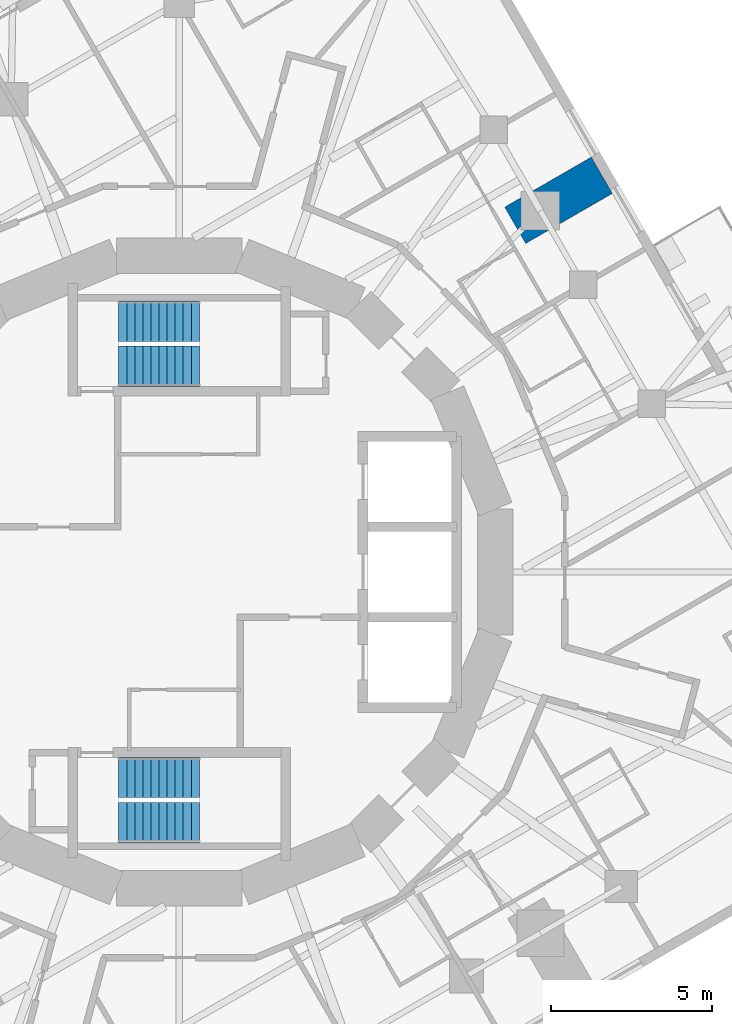
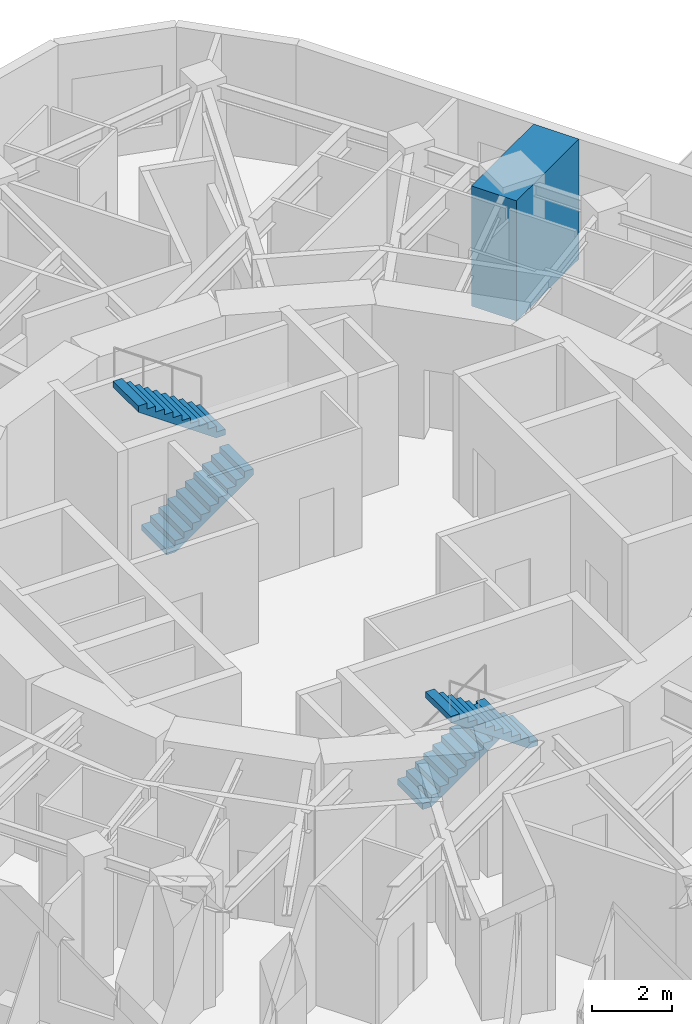
# One storey, part 10 of 12: 4 stair flights, 1 wall, 2 elements without a shape of their own.
"""IFC4 building model written with IfcOpenShell, lengths in metres."""

import ifcopenshell
import ifcopenshell.guid

model = None  # the IFC model being written
_history = None  # IfcOwnerHistory: only IFC2X3 demands one
_inside = {}  # id of a spatial element -> (the spatial element, [elements in it])
_under = {}  # id of a project, library or spatial element -> (it, [spatial elements below it])
_declared = {}  # id of a project -> (the project, [libraries it declares])
_typed = {}  # id of a type object -> (the type object, [elements of that type])
_made_of = {}  # id of a material, layer set ... -> (it, [elements and type objects made of it])


def new_model(schema):
    """Start an empty IFC model of exactly this schema.

    Asked for "IFC4X3", IfcOpenShell would pick the latest addendum, in which some entities
    have other attributes; the version numbers below select the first issue.
    IFC2X3 requires an IfcOwnerHistory on every rooted entity: one is made here for all.
    """
    global model, _history
    if schema == "IFC4X3":
        model = ifcopenshell.file(schema_version=(4, 3, 0, 0))
    else:
        model = ifcopenshell.file(schema=schema)
    _inside.clear()
    _under.clear()
    _declared.clear()
    _typed.clear()
    _made_of.clear()
    _history = None
    if model.schema == "IFC2X3":
        org = make("IfcOrganization", Name="unknown")
        user = make(
            "IfcPersonAndOrganization",
            ThePerson=make("IfcPerson", FamilyName="unknown"),
            TheOrganization=org,
        )
        app = make(
            "IfcApplication",
            ApplicationDeveloper=org,
            Version="unknown",
            ApplicationFullName="unknown",
            ApplicationIdentifier="unknown",
        )
        _history = make(
            "IfcOwnerHistory",
            OwningUser=user,
            OwningApplication=app,
            ChangeAction="ADDED",
            CreationDate=0,
        )
    return model


def make(cls, **values):
    """One entity of the class cls with the attributes given. An attribute that is None is left unset."""
    return model.create_entity(
        cls, **{name: value for name, value in values.items() if value is not None}
    )


def rooted(cls, **values):
    """An entity with a GlobalId (a new one), such as an element, a storey or a relation."""
    return make(cls, GlobalId=ifcopenshell.guid.new(), OwnerHistory=_history, **values)


def si_unit(unit_type, name, prefix=None):
    """IfcSIUnit, for example si_unit("LENGTHUNIT", "METRE", prefix="MILLI")."""
    return make("IfcSIUnit", UnitType=unit_type, Prefix=prefix, Name=name)


def assignment(units):
    """IfcUnitAssignment: the units of a project."""
    return None if units is None else make("IfcUnitAssignment", Units=units)


def point(xyz):
    """IfcCartesianPoint."""
    return None if xyz is None else make("IfcCartesianPoint", Coordinates=xyz)


def direction(xyz):
    """IfcDirection."""
    return None if xyz is None else make("IfcDirection", DirectionRatios=xyz)


def frame(location, z_axis=None, x_axis=None):
    """IfcAxis2Placement3D, a coordinate frame: its origin and axes. An axis left out is left unset."""
    return make(
        "IfcAxis2Placement3D",
        Location=point(location),
        Axis=direction(z_axis),
        RefDirection=direction(x_axis),
    )


def frame_2d(location, x_axis=None):
    """IfcAxis2Placement2D, a coordinate frame in the plane: its origin and x axis."""
    return make(
        "IfcAxis2Placement2D", Location=point(location), RefDirection=direction(x_axis)
    )


def origin():
    """The frame at (0, 0, 0) with its axes left unset."""
    return frame((0.0, 0.0, 0.0))


def place(relative_to, where):
    """IfcLocalPlacement: puts the frame where relative to a parent placement (None: the world)."""
    return make(
        "IfcLocalPlacement", PlacementRelTo=relative_to, RelativePlacement=where
    )


def context(
    kind, dimensions, precision=None, world=None, true_north=None, identifier=None
):
    """IfcGeometricRepresentationContext, for example the 3D "Model" context."""
    return make(
        "IfcGeometricRepresentationContext",
        ContextIdentifier=identifier,
        ContextType=kind,
        CoordinateSpaceDimension=dimensions,
        Precision=precision,
        WorldCoordinateSystem=world,
        TrueNorth=true_north,
    )


def subcontext(parent, identifier, kind, view, scale=None):
    """IfcGeometricRepresentationSubContext, for example "Body" below "Model"."""
    return make(
        "IfcGeometricRepresentationSubContext",
        ContextIdentifier=identifier,
        ContextType=kind,
        ParentContext=parent,
        TargetScale=scale,
        TargetView=view,
    )


def project(units=None, contexts=None):
    """IfcProject with its units and contexts."""
    return rooted(
        "IfcProject",
        Name="project",
        RepresentationContexts=contexts,
        UnitsInContext=assignment(units),
    )


def spatial(cls, under=None, at=None, **own):
    """A site, building, storey or space (cls), placed at a placement, below another one or the project."""
    s = rooted(cls, ObjectPlacement=at, **own)
    if under is not None:
        _under.setdefault(under.id(), (under, []))[1].append(s)
    return s


def polyline(points):
    """IfcPolyline through the points."""
    return make("IfcPolyline", Points=[point(p) for p in points])


def profile(cls, at=None, kind="AREA", **sizes):
    """A parametric profile (cls). Its sizes go by their IFC names, for example OverallWidth=200.0."""
    return make(cls, ProfileType=kind, Position=at, **sizes)


def rectangle(**sizes):
    """IfcRectangleProfileDef."""
    return profile("IfcRectangleProfileDef", **sizes)


def outline(outer, holes=None, kind="AREA"):
    """IfcArbitraryClosedProfileDef: a profile drawn as a closed curve; with holes, ...WithVoids."""
    if holes is None:
        return make("IfcArbitraryClosedProfileDef", ProfileType=kind, OuterCurve=outer)
    return make(
        "IfcArbitraryProfileDefWithVoids",
        ProfileType=kind,
        OuterCurve=outer,
        InnerCurves=holes,
    )


def extrude(swept, where, along, depth):
    """IfcExtrudedAreaSolid: the profile swept, set in the frame where, extruded along a direction by depth."""
    return make(
        "IfcExtrudedAreaSolid",
        SweptArea=swept,
        Position=where,
        ExtrudedDirection=direction(along),
        Depth=depth,
    )


def shape(context_of_items, identifier, shape_type, items):
    """IfcShapeRepresentation: the items that make up one representation, for example the "Body"."""
    return make(
        "IfcShapeRepresentation",
        ContextOfItems=context_of_items,
        RepresentationIdentifier=identifier,
        RepresentationType=shape_type,
        Items=items,
    )


def material(Name=None, Category=None):
    """IfcMaterial."""
    return make("IfcMaterial", Name=Name, Category=Category)


def layer(
    of_material, thickness, ventilated=None, Name=None, Category=None, Priority=None
):
    """IfcMaterialLayer: one layer of a wall or slab, of a material (None: an air gap)."""
    return make(
        "IfcMaterialLayer",
        Material=of_material,
        LayerThickness=thickness,
        IsVentilated=ventilated,
        Name=Name,
        Category=Category,
        Priority=Priority,
    )


def layer_set(layers, Name=None):
    """IfcMaterialLayerSet."""
    return make("IfcMaterialLayerSet", MaterialLayers=layers, LayerSetName=Name)


def made_of(thing, what):
    """Note that an element or type object is made of a material, layer set ...; save() writes the relation."""
    if what is not None:
        _made_of.setdefault(what.id(), (what, []))[1].append(thing)
    return thing


def type_object(cls, material=None, **own):
    """A type object (cls), such as IfcWallType, which elements share."""
    return made_of(rooted(cls, **own), material)


def element(
    cls,
    number,
    at=None,
    inside=None,
    cuts=None,
    type_object=None,
    material=None,
    context=None,
    identifier="Body",
    shape_type=None,
    held_by="IfcProductDefinitionShape",
    body=None,
    shapes=None,
    **own,
):
    """One element of the class cls, such as IfcWall. Its Tag is "e" and its number.

    at: its placement. inside: the storey or other place that contains it. cuts: it is an
    opening in that element (IfcRelVoidsElement). A single representation is given by context,
    identifier, shape_type and body (its items); several are given by shapes. held_by: the class
    of the entity that holds the representations. save() writes the other relations.
    """
    e = rooted(cls, Tag="e%d" % number, ObjectPlacement=at, **own)
    if body is not None:
        shapes = [shape(context, identifier, shape_type, body)]
    if shapes is not None:
        e.Representation = make(held_by, Representations=shapes)
    if inside is not None:
        _inside.setdefault(inside.id(), (inside, []))[1].append(e)
    if cuts is not None:
        rooted(
            "IfcRelVoidsElement", RelatingBuildingElement=cuts, RelatedOpeningElement=e
        )
    if type_object is not None:
        _typed.setdefault(type_object.id(), (type_object, []))[1].append(e)
    return made_of(e, material)


def aggregate(whole, parts):
    """IfcRelAggregates: a whole, such as a stair, and the parts it consists of."""
    return rooted("IfcRelAggregates", RelatingObject=whole, RelatedObjects=parts)


def save(model, path):
    """Write the relations noted so far, then the file.

    IfcRelAggregates (storeys below a building ...), IfcRelContainedInSpatialStructure (elements
    in a storey), IfcRelDefinesByType, IfcRelAssociatesMaterial and IfcRelDeclares: one each for
    every whole, place, type object, material and project.
    """
    for whole, parts in _under.values():
        aggregate(whole, parts)
    for where, things in _inside.values():
        rooted(
            "IfcRelContainedInSpatialStructure",
            RelatedElements=things,
            RelatingStructure=where,
        )
    for kind, things in _typed.values():
        rooted("IfcRelDefinesByType", RelatedObjects=things, RelatingType=kind)
    for what, things in _made_of.values():
        rooted("IfcRelAssociatesMaterial", RelatedObjects=things, RelatingMaterial=what)
    for by, libraries in _declared.values():
        rooted("IfcRelDeclares", RelatingContext=by, RelatedDefinitions=libraries)
    model.write(path)


model = new_model("IFC4")

# Units and contexts
model_context = context("Model", 3, precision=1e-05, world=origin(), true_north=direction((0.0, 1.0)))
body_context = subcontext(model_context, "Body", "Model", "MODEL_VIEW")
ifc_project = project(units=[si_unit("LENGTHUNIT", "METRE"), si_unit("AREAUNIT", "SQUARE_METRE"), si_unit("VOLUMEUNIT", "CUBIC_METRE"), si_unit("PLANEANGLEUNIT", "RADIAN"), si_unit("MASSUNIT", "GRAM", prefix="KILO")], contexts=[model_context])

# Site, building, storey
site_placement = place(None, origin())
site = spatial("IfcSite", under=ifc_project, at=site_placement, CompositionType="ELEMENT")
building_placement = place(site_placement, origin())
building = spatial("IfcBuilding", under=site, at=building_placement, Name="Nakasero Lantern House", CompositionType="ELEMENT")
storey_placement = place(building_placement, frame((0.0, 0.0, 226.949951171875)))
storey = spatial("IfcBuildingStorey", under=building, at=storey_placement, Name="L55", CompositionType="ELEMENT", Elevation=226.949951171875)

# Wall
ifc_material_1 = material(Name="Blockwork", Category="masonry")
ifc_layer = layer(ifc_material_1, 1.300048828125)
ifc_layer_set = layer_set([ifc_layer], Name="Column pier 1300")
wall_type = type_object("IfcWallType", Name="Column pier 1300", PredefinedType="PARTITIONING", material=ifc_layer_set)
wall_placement = place(storey_placement, frame((10.4208984375, 10.75048828125, 0.0), z_axis=(0.0, 0.0, 1.0), x_axis=(0.866063626216, 0.499933790963, 0.0)))
element("IfcWall", 1, at=wall_placement, inside=storey, type_object=wall_type, Name="Column pier L55 PN0-05", PredefinedType="PARTITIONING", context=body_context, shape_type="SweptSolid", body=[
    extrude(rectangle(XDim=3.10009765625, YDim=1.300048828125, at=frame_2d((1.550048828125, 0.0))), origin(), (0.0, 0.0, 1.0), 3.650146484375),
])

# Stair, stair flights
ifc_material_2 = material(Name="Concrete C40/50", Category="concrete")
stair_type_1 = type_object("IfcStairType", Name="Escape stair ST1 22 risers", PredefinedType="HALF_TURN_STAIR", material=ifc_material_2)
stair_1_placement = place(storey_placement, origin())
stair_1 = element("IfcStair", 2, at=stair_1_placement, inside=storey, type_object=stair_type_1, Name="Escape stair ST1 L55", PredefinedType="HALF_TURN_STAIR")
ifc_material_3 = material(Name="Concrete C40/50", Category="concrete")
stair_flight_type = type_object("IfcStairFlightType", Name="Escape stair flight", PredefinedType="STRAIGHT", material=ifc_material_3)
stair_flight_1_placement = place(storey_placement, frame((-1.875, 6.375, 0.0), z_axis=(0.0, 0.0, 1.0), x_axis=(1.0, 0.0, 0.0)))
stair_flight_1 = element("IfcStairFlight", 3, at=stair_flight_1_placement, type_object=stair_flight_type, Name="ST1 flight 1", NumberOfRisers=11, NumberOfTreads=10, PredefinedType="STRAIGHT", RiserHeight=0.175, TreadLength=0.25, context=body_context, shape_type="SweptSolid", body=[
    extrude(outline(polyline([(0.0, 0.0), (0.0, 0.175048828125), (0.25, 0.175048828125), (0.25, 0.35009765625), (0.5, 0.35009765625), (0.5, 0.52490234375), (0.75, 0.52490234375), (0.75, 0.699951171875), (1.0, 0.699951171875), (1.0, 0.875), (1.25, 0.875), (1.25, 1.050048828125), (1.5, 1.050048828125), (1.5, 1.22509765625), (1.75, 1.22509765625), (1.75, 1.39990234375), (2.0, 1.39990234375), (2.0, 1.574951171875), (2.25, 1.574951171875), (2.25, 1.75), (2.5, 1.75), (2.5, 1.925048828125), (2.5, 1.567138671875), (0.261474609375, 0.0), (0.0, 0.0)])), frame((0.0, 0.625, 0.0), z_axis=(0.0, -1.0, 0.0), x_axis=(1.0, 0.0, 0.0)), (0.0, 0.0, 1.0), 1.25),
])
stair_flight_2_placement = place(storey_placement, frame((0.625, 7.77490234375, 1.925048828125), z_axis=(0.0, 0.0, 1.0), x_axis=(-1.0, 0.0, 0.0)))
stair_flight_2 = element("IfcStairFlight", 4, at=stair_flight_2_placement, type_object=stair_flight_type, Name="ST1 flight 2", NumberOfRisers=11, NumberOfTreads=10, PredefinedType="STRAIGHT", RiserHeight=0.175, TreadLength=0.25, context=body_context, shape_type="SweptSolid", body=[
    extrude(outline(polyline([(0.0, 0.0), (0.0, 0.175048828125), (0.25, 0.175048828125), (0.25, 0.35009765625), (0.5, 0.35009765625), (0.5, 0.52490234375), (0.75, 0.52490234375), (0.75, 0.699951171875), (1.0, 0.699951171875), (1.0, 0.875), (1.25, 0.875), (1.25, 1.050048828125), (1.5, 1.050048828125), (1.5, 1.22509765625), (1.75, 1.22509765625), (1.75, 1.39990234375), (2.0, 1.39990234375), (2.0, 1.574951171875), (2.25, 1.574951171875), (2.25, 1.75), (2.5, 1.75), (2.5, 1.925048828125), (2.5, 1.567138671875), (0.261474609375, 0.0), (0.0, 0.0)])), frame((0.0, 0.625, 0.0), z_axis=(0.0, -1.0, 0.0), x_axis=(1.0, 0.0, 0.0)), (0.0, 0.0, 1.0), 1.25),
])
aggregate(stair_1, [stair_flight_1, stair_flight_2])

ifc_material_4 = material(Name="Concrete C40/50", Category="concrete")
stair_type_2 = type_object("IfcStairType", Name="Escape stair ST2 22 risers", PredefinedType="HALF_TURN_STAIR", material=ifc_material_4)
stair_2_placement = place(storey_placement, origin())
stair_2 = element("IfcStair", 5, at=stair_2_placement, inside=storey, type_object=stair_type_2, Name="Escape stair ST2 L55", PredefinedType="HALF_TURN_STAIR")
stair_flight_3_placement = place(storey_placement, frame((-1.875, -6.375, 0.0), z_axis=(0.0, 0.0, 1.0), x_axis=(1.0, 0.0, 0.0)))
stair_flight_3 = element("IfcStairFlight", 6, at=stair_flight_3_placement, type_object=stair_flight_type, Name="ST2 flight 1", NumberOfRisers=11, NumberOfTreads=10, PredefinedType="STRAIGHT", RiserHeight=0.175, TreadLength=0.25, context=body_context, shape_type="SweptSolid", body=[
    extrude(outline(polyline([(0.0, 0.0), (0.0, 0.175048828125), (0.25, 0.175048828125), (0.25, 0.35009765625), (0.5, 0.35009765625), (0.5, 0.52490234375), (0.75, 0.52490234375), (0.75, 0.699951171875), (1.0, 0.699951171875), (1.0, 0.875), (1.25, 0.875), (1.25, 1.050048828125), (1.5, 1.050048828125), (1.5, 1.22509765625), (1.75, 1.22509765625), (1.75, 1.39990234375), (2.0, 1.39990234375), (2.0, 1.574951171875), (2.25, 1.574951171875), (2.25, 1.75), (2.5, 1.75), (2.5, 1.925048828125), (2.5, 1.567138671875), (0.261474609375, 0.0), (0.0, 0.0)])), frame((0.0, 0.625, 0.0), z_axis=(0.0, -1.0, 0.0), x_axis=(1.0, 0.0, 0.0)), (0.0, 0.0, 1.0), 1.25),
])
stair_flight_4_placement = place(storey_placement, frame((0.625, -7.77490234375, 1.925048828125), z_axis=(0.0, 0.0, 1.0), x_axis=(-1.0, 0.0, 0.0)))
stair_flight_4 = element("IfcStairFlight", 7, at=stair_flight_4_placement, type_object=stair_flight_type, Name="ST2 flight 2", NumberOfRisers=11, NumberOfTreads=10, PredefinedType="STRAIGHT", RiserHeight=0.175, TreadLength=0.25, context=body_context, shape_type="SweptSolid", body=[
    extrude(outline(polyline([(0.0, 0.0), (0.0, 0.175048828125), (0.25, 0.175048828125), (0.25, 0.35009765625), (0.5, 0.35009765625), (0.5, 0.52490234375), (0.75, 0.52490234375), (0.75, 0.699951171875), (1.0, 0.699951171875), (1.0, 0.875), (1.25, 0.875), (1.25, 1.050048828125), (1.5, 1.050048828125), (1.5, 1.22509765625), (1.75, 1.22509765625), (1.75, 1.39990234375), (2.0, 1.39990234375), (2.0, 1.574951171875), (2.25, 1.574951171875), (2.25, 1.75), (2.5, 1.75), (2.5, 1.925048828125), (2.5, 1.567138671875), (0.261474609375, 0.0), (0.0, 0.0)])), frame((0.0, 0.625, 0.0), z_axis=(0.0, -1.0, 0.0), x_axis=(1.0, 0.0, 0.0)), (0.0, 0.0, 1.0), 1.25),
])
aggregate(stair_2, [stair_flight_3, stair_flight_4])

save(model, "model.ifc")
